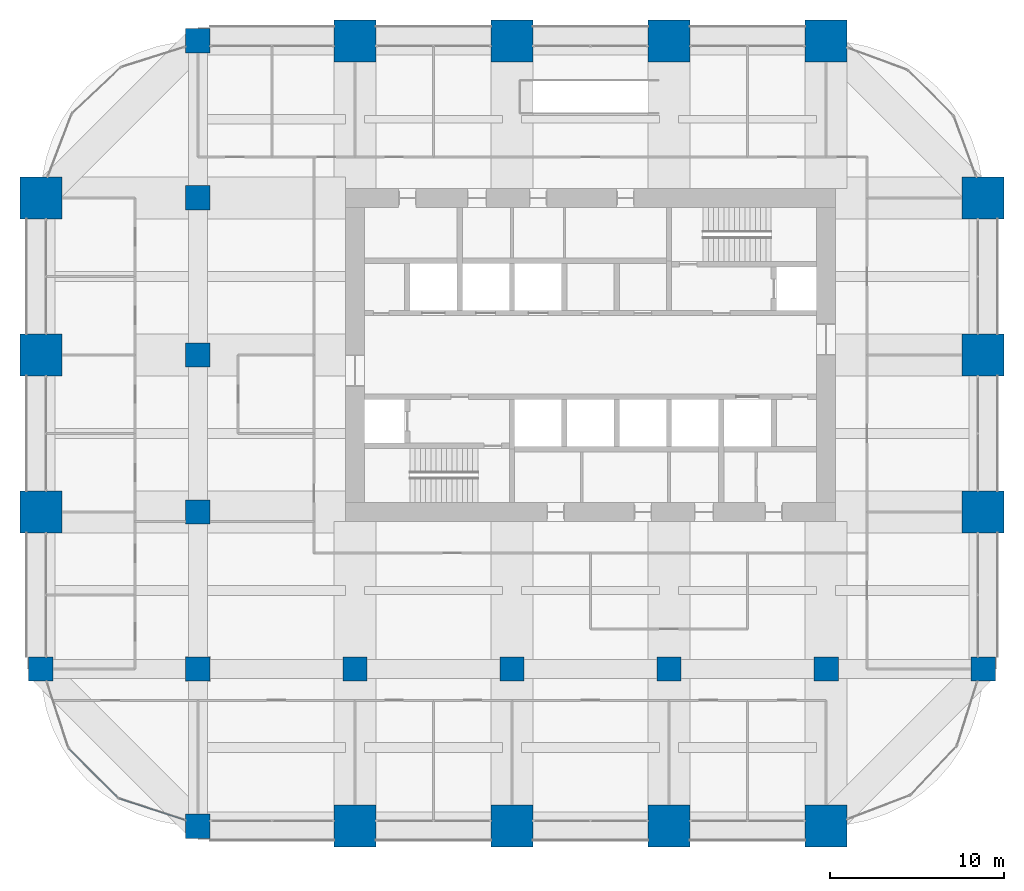
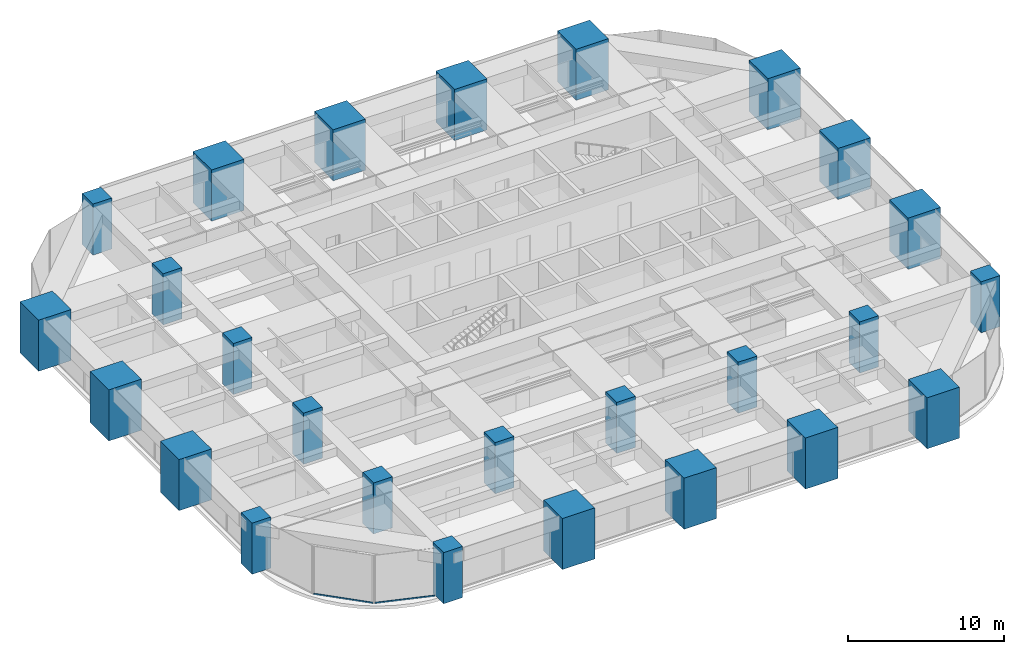
# One storey, part 1 of 35: 26 columns, 2 members, 2 elements without a shape of their own.
"""IFC4 building model written with IfcOpenShell, lengths in metres."""

from ifc_helpers import new_model, si_unit, direction, frame, origin, origin_2d, place, context, subcontext, project, spatial, rectangle, hollow_rectangle, extrude, material, material_profile, profile_set, type_object, element, aggregate, save


model = new_model("IFC4")

# Units and contexts
model_context = context("Model", 3, precision=1e-05, world=origin(), true_north=direction((0.0, 1.0)))
body_context = subcontext(model_context, "Body", "Model", "MODEL_VIEW")
ifc_project = project(units=[si_unit("LENGTHUNIT", "METRE"), si_unit("AREAUNIT", "SQUARE_METRE"), si_unit("VOLUMEUNIT", "CUBIC_METRE"), si_unit("PLANEANGLEUNIT", "RADIAN"), si_unit("MASSUNIT", "GRAM", prefix="KILO")], contexts=[model_context])

# Site, building, storey
site_placement = place(None, origin())
site = spatial("IfcSite", under=ifc_project, at=site_placement, CompositionType="ELEMENT")
building_placement = place(site_placement, origin())
building = spatial("IfcBuilding", under=site, at=building_placement, Name="Zorevar Civic Tower", CompositionType="ELEMENT")
storey_placement = place(building_placement, frame((0.0, 0.0, 218.199951171875)))
storey = spatial("IfcBuildingStorey", under=building, at=storey_placement, Name="L53", CompositionType="ELEMENT", Elevation=218.199951171875)

# Columns
ifc_material_1 = material(Name="Concrete C50/60", Category="concrete")
ifc_material_profile_1 = material_profile(ifc_material_1, rectangle(XDim=1.39990234375, YDim=1.39990234375, at=origin_2d()), Name="RC 1400x1400")
ifc_profile_set_1 = profile_set([ifc_material_profile_1], Name="Concrete C50/60")
column_type_1 = type_object("IfcColumnType", Name="Column RC 1400x1400", PredefinedType="COLUMN", material=ifc_profile_set_1)
for number, where, z_axis, x_axis, name in (
    (1, (0.0, 9.0, 0.0), (0.0, 0.0, 1.0), (1.0, 0.0, 0.0), "Column 2B L53"),
    (2, (9.0, 0.0, 0.0), (0.0, 0.0, 1.0), (1.0, 0.0, 0.0), "Column 3A L53"),
    (3, (9.0, 9.0, 0.0), (0.0, 0.0, 1.0), (1.0, 0.0, 0.0), "Column 3B L53"),
    (4, (9.0, 18.0, 0.0), (0.0, 0.0, 1.0), (1.0, 0.0, 0.0), "Column 3C L53"),
    (5, (9.0, 27.0, 0.0), (0.0, 0.0, 1.0), (1.0, 0.0, 0.0), "Column 3D L53"),
    (6, (9.0, 36.0, 0.0), (0.0, 0.0, 1.0), (1.0, 0.0, 0.0), "Column 3E L53"),
    (7, (9.0, 45.0, 0.0), (0.0, 0.0, 1.0), (1.0, 0.0, 0.0), "Column 3F L53"),
    (8, (18.0, 9.0, 0.0), (0.0, 0.0, 1.0), (1.0, 0.0, 0.0), "Column 4B L53"),
    (9, (27.0, 9.0, 0.0), (0.0, 0.0, 1.0), (1.0, 0.0, 0.0), "Column 5B L53"),
    (10, (36.0, 9.0, 0.0), (0.0, 0.0, 1.0), (1.0, 0.0, 0.0), "Column 6B L53"),
    (11, (45.0, 9.0, 0.0), (0.0, 0.0, 1.0), (1.0, 0.0, 0.0), "Column 7B L53"),
    (12, (54.0, 9.0, 0.0), (0.0, 0.0, 1.0), (1.0, 0.0, 0.0), "Column 8B L53"),
):
    element("IfcColumn", number, at=place(storey_placement, frame(where, z_axis=z_axis, x_axis=x_axis)), inside=storey, type_object=column_type_1, Name=name, PredefinedType="COLUMN", context=body_context, shape_type="SweptSolid", body=[
        extrude(rectangle(XDim=1.39990234375, YDim=1.39990234375, at=origin_2d()), origin(), (0.0, 0.0, 1.0), 4.0),
    ])
ifc_material_2 = material(Name="Concrete C50/60", Category="concrete")
ifc_material_profile_2 = material_profile(ifc_material_2, rectangle(XDim=2.39990234375, YDim=2.39990234375, at=origin_2d()), Name="RC 2400x2400")
ifc_profile_set_2 = profile_set([ifc_material_profile_2], Name="Concrete C50/60")
column_type_2 = type_object("IfcColumnType", Name="Mega column RC 2400x2400", PredefinedType="COLUMN", material=ifc_profile_set_2)
for number, where, z_axis, x_axis, name in (
    (13, (0.0, 18.0, 0.0), (0.0, 0.0, 1.0), (1.0, 0.0, 0.0), "Column 2C L53"),
    (14, (0.0, 27.0, 0.0), (0.0, 0.0, 1.0), (1.0, 0.0, 0.0), "Column 2D L53"),
    (15, (0.0, 36.0, 0.0), (0.0, 0.0, 1.0), (1.0, 0.0, 0.0), "Column 2E L53"),
    (16, (18.0, 0.0, 0.0), (0.0, 0.0, 1.0), (1.0, 0.0, 0.0), "Column 4A L53"),
    (17, (18.0, 45.0, 0.0), (0.0, 0.0, 1.0), (1.0, 0.0, 0.0), "Column 4F L53"),
    (18, (27.0, 0.0, 0.0), (0.0, 0.0, 1.0), (1.0, 0.0, 0.0), "Column 5A L53"),
    (19, (27.0, 45.0, 0.0), (0.0, 0.0, 1.0), (1.0, 0.0, 0.0), "Column 5F L53"),
    (20, (36.0, 0.0, 0.0), (0.0, 0.0, 1.0), (1.0, 0.0, 0.0), "Column 6A L53"),
    (21, (36.0, 45.0, 0.0), (0.0, 0.0, 1.0), (1.0, 0.0, 0.0), "Column 6F L53"),
    (22, (45.0, 0.0, 0.0), (0.0, 0.0, 1.0), (1.0, 0.0, 0.0), "Column 7A L53"),
    (23, (45.0, 45.0, 0.0), (0.0, 0.0, 1.0), (1.0, 0.0, 0.0), "Column 7F L53"),
    (24, (54.0, 18.0, 0.0), (0.0, 0.0, 1.0), (1.0, 0.0, 0.0), "Column 8C L53"),
    (25, (54.0, 27.0, 0.0), (0.0, 0.0, 1.0), (1.0, 0.0, 0.0), "Column 8D L53"),
    (26, (54.0, 36.0, 0.0), (0.0, 0.0, 1.0), (1.0, 0.0, 0.0), "Column 8E L53"),
):
    element("IfcColumn", number, at=place(storey_placement, frame(where, z_axis=z_axis, x_axis=x_axis)), inside=storey, type_object=column_type_2, Name=name, PredefinedType="COLUMN", context=body_context, shape_type="SweptSolid", body=[
        extrude(rectangle(XDim=2.39990234375, YDim=2.39990234375, at=origin_2d()), origin(), (0.0, 0.0, 1.0), 4.0),
    ])

# Curtain wall, member
ifc_material_3 = material(Name="Dark grey solar-control glass in black aluminium frame", Category="aluminium")
curtain_wall_type = type_object("IfcCurtainWallType", Name="Curtain wall CW4 high zone", PredefinedType="NOTDEFINED", material=ifc_material_3)
curtain_wall_1_placement = place(storey_placement, origin())
curtain_wall_1 = element("IfcCurtainWall", 27, at=curtain_wall_1_placement, inside=storey, type_object=curtain_wall_type, Name="CW4 L53", PredefinedType="NOTDEFINED")
ifc_material_4 = material(Name="Aluminium, black anodised", Category="aluminium")
ifc_material_profile_3 = material_profile(ifc_material_4, hollow_rectangle(XDim=0.06005859375, YDim=0.1201171875, WallThickness=0.0029296875, at=origin_2d()), Name="AL 120x60x3")
ifc_profile_set_3 = profile_set([ifc_material_profile_3], Name="Aluminium, black anodised")
member_type = type_object("IfcMemberType", Name="CW4 transom AL 120x60x3", PredefinedType="USERDEFINED", material=ifc_profile_set_3)
member_1_placement = place(storey_placement, frame((1.62744140625, 4.406982421875, 0.030029296875), z_axis=(0.707106781187, -0.707106781187, 0.0), x_axis=(0.707106781187, 0.707106781187, 0.0)))
member_1 = element("IfcMember", 28, at=member_1_placement, type_object=member_type, Name="CW4 sill transom", ObjectType="TRANSOM", PredefinedType="USERDEFINED", context=body_context, shape_type="SweptSolid", body=[
    extrude(hollow_rectangle(XDim=0.06005859375, YDim=0.1201171875, WallThickness=0.0029296875, at=origin_2d()), origin(), (0.0, 0.0, 1.0), 3.930908203125),
])
aggregate(curtain_wall_1, [member_1])

curtain_wall_2_placement = place(storey_placement, origin())
curtain_wall_2 = element("IfcCurtainWall", 29, at=curtain_wall_2_placement, inside=storey, type_object=curtain_wall_type, Name="CW4 L53", PredefinedType="NOTDEFINED")
member_2_placement = place(storey_placement, frame((4.50634765625, 1.56640625, 0.030029296875), z_axis=(0.950652200568, -0.31025859143, 0.0), x_axis=(0.31025859143, 0.950652200568, 0.0)))
member_2 = element("IfcMember", 30, at=member_2_placement, type_object=member_type, Name="CW4 sill transom", ObjectType="TRANSOM", PredefinedType="USERDEFINED", context=body_context, shape_type="SweptSolid", body=[
    extrude(hollow_rectangle(XDim=0.06005859375, YDim=0.1201171875, WallThickness=0.0029296875, at=origin_2d()), origin(), (0.0, 0.0, 1.0), 3.930419921875),
])
aggregate(curtain_wall_2, [member_2])

save(model, "model.ifc")
